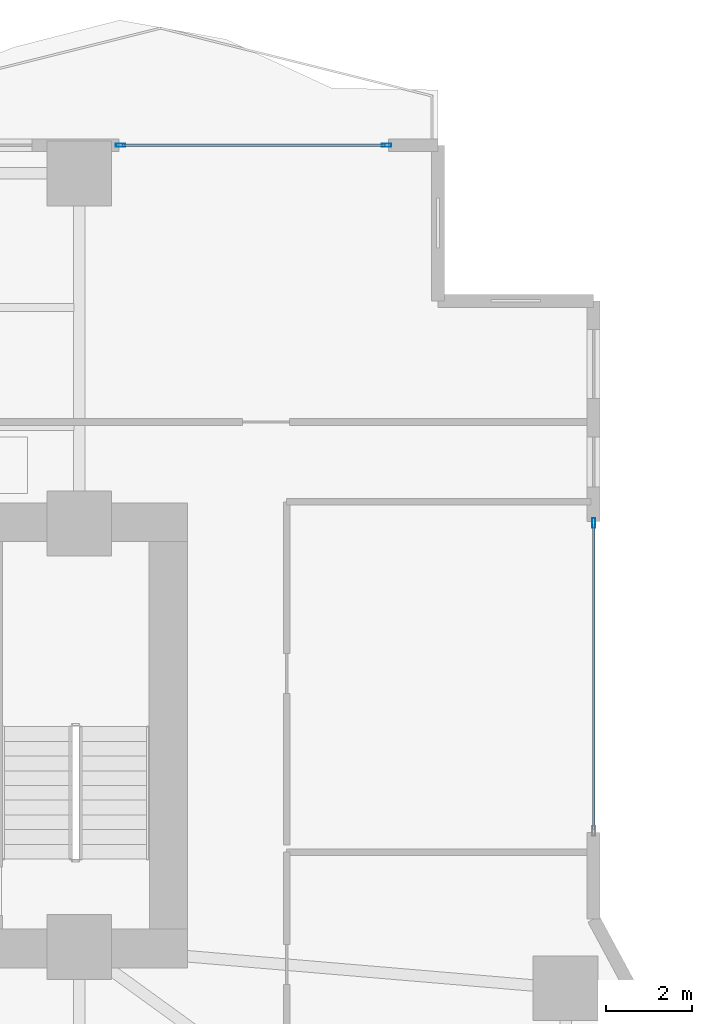
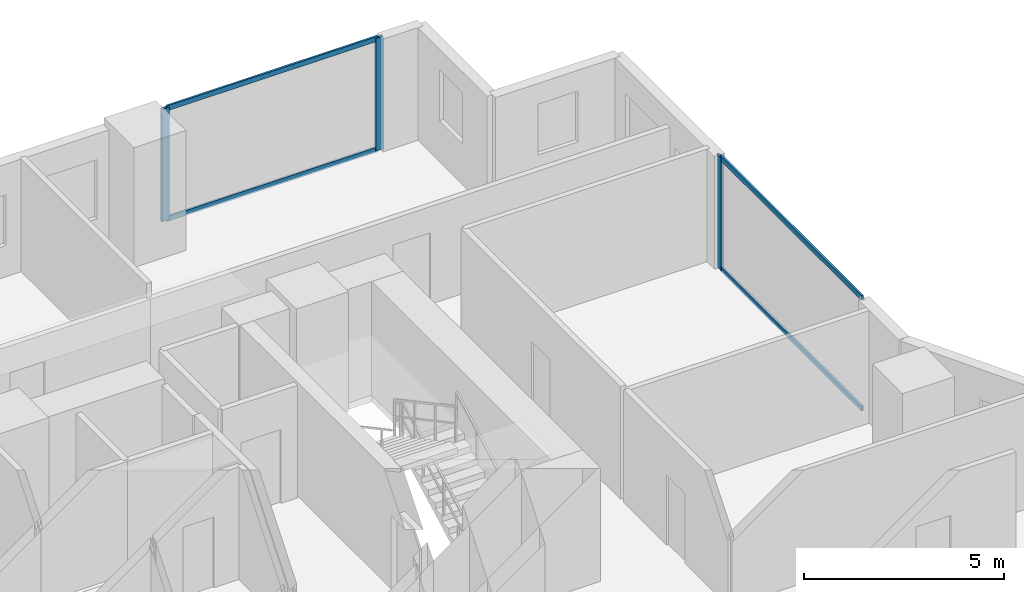
# One storey, part 16 of 29: 7 members, 2 elements without a shape of their own.
"""IFC4 building model written with IfcOpenShell, lengths in metres."""

from ifc_helpers import new_model, si_unit, direction, frame, origin, origin_2d, place, context, subcontext, project, spatial, hollow_rectangle, extrude, material, layer, layer_set, material_profile, profile_set, type_object, element, aggregate, save


model = new_model("IFC4")

# Units and contexts
model_context = context("Model", 3, precision=1e-05, world=origin(), true_north=direction((0.0, 1.0)))
body_context = subcontext(model_context, "Body", "Model", "MODEL_VIEW")
ifc_project = project(units=[si_unit("LENGTHUNIT", "METRE"), si_unit("AREAUNIT", "SQUARE_METRE"), si_unit("VOLUMEUNIT", "CUBIC_METRE"), si_unit("PLANEANGLEUNIT", "RADIAN"), si_unit("MASSUNIT", "GRAM", prefix="KILO")], contexts=[model_context])

# Site, building, storey
site_placement = place(None, origin())
site = spatial("IfcSite", under=ifc_project, at=site_placement, CompositionType="ELEMENT")
building_placement = place(site_placement, origin())
building = spatial("IfcBuilding", under=site, at=building_placement, Name="Zuhayl Quay Hotel", CompositionType="ELEMENT")
storey_placement = place(building_placement, frame((0.0, 0.0, 38.550048828125)))
storey = spatial("IfcBuildingStorey", under=building, at=storey_placement, Name="L08", CompositionType="ELEMENT", Elevation=38.550048828125)

# Curtain wall, members
ifc_material_1 = material(Name="Anodised Aluminium 6063-T6", Category="aluminium")
ifc_layer = layer(ifc_material_1, 0.18994140625, Name="Anodised Aluminium 6063-T6", Category="aluminium")
ifc_layer_set = layer_set([ifc_layer], Name="Anodised Aluminium 6063-T6")
curtain_wall_type = type_object("IfcCurtainWallType", Name="CW_SYS_Z1", PredefinedType="USERDEFINED", material=ifc_layer_set)
curtain_wall_1_placement = place(storey_placement, origin())
curtain_wall_1 = element("IfcCurtainWall", 1, at=curtain_wall_1_placement, inside=storey, type_object=curtain_wall_type, Name="L08 Curtain Wall ENV_L08_N_CW5", ObjectType="UNITISED CURTAIN WALL", PredefinedType="USERDEFINED")
ifc_material_2 = material(Name="Black-anodised aluminium 6063-T6", Category="aluminium")
ifc_material_profile_1 = material_profile(ifc_material_2, hollow_rectangle(XDim=0.074951171875, YDim=0.219970703125, WallThickness=0.00390625, at=origin_2d()), Name="ALU220X75")
ifc_profile_set_1 = profile_set([ifc_material_profile_1], Name="Black-anodised aluminium 6063-T6")
member_type_1 = type_object("IfcMemberType", Name="MB_CW_MUL_220", PredefinedType="MULLION", material=ifc_profile_set_1)
member_1_placement = place(storey_placement, frame((14.757568359375, 23.10009765625, 0.0), z_axis=(0.0, 0.0, 1.0), x_axis=(0.0, 1.0, 0.0)))
member_1 = element("IfcMember", 2, at=member_1_placement, type_object=member_type_1, Name="CW-Z1 mullion 1", PredefinedType="MULLION", context=body_context, shape_type="SweptSolid", body=[
    extrude(hollow_rectangle(XDim=0.074951171875, YDim=0.219970703125, WallThickness=0.00390625, at=origin_2d()), origin(), (0.0, 0.0, 1.0), 3.429931640625),
])
member_2_placement = place(storey_placement, frame((20.91259765625, 23.10009765625, 0.0), z_axis=(0.0, 0.0, 1.0), x_axis=(0.0, 1.0, 0.0)))
member_2 = element("IfcMember", 3, at=member_2_placement, type_object=member_type_1, Name="CW-Z1 mullion 2", PredefinedType="MULLION", context=body_context, shape_type="SweptSolid", body=[
    extrude(hollow_rectangle(XDim=0.074951171875, YDim=0.219970703125, WallThickness=0.00390625, at=origin_2d()), origin(), (0.0, 0.0, 1.0), 3.429931640625),
])

# Curtain wall, member
curtain_wall_2_placement = place(storey_placement, origin())
curtain_wall_2 = element("IfcCurtainWall", 4, at=curtain_wall_2_placement, inside=storey, type_object=curtain_wall_type, Name="L08 Curtain Wall ENV_L08_E11_CW1", ObjectType="UNITISED CURTAIN WALL", PredefinedType="USERDEFINED")
member_3_placement = place(storey_placement, frame((25.699951171875, 14.362548828125, 0.0), z_axis=(0.0, 0.0, 1.0), x_axis=(1.0, 0.0, 0.0)))
member_3 = element("IfcMember", 5, at=member_3_placement, type_object=member_type_1, Name="CW-Z1 mullion 1", PredefinedType="MULLION", context=body_context, shape_type="SweptSolid", body=[
    extrude(hollow_rectangle(XDim=0.074951171875, YDim=0.219970703125, WallThickness=0.00390625, at=origin_2d()), origin(), (0.0, 0.0, 1.0), 3.429931640625),
])

# Member
ifc_material_profile_2 = material_profile(ifc_material_2, hollow_rectangle(XDim=0.06005859375, YDim=0.14990234375, WallThickness=0.00341796875, at=origin_2d()), Name="ALU150X60")
ifc_profile_set_2 = profile_set([ifc_material_profile_2], Name="Black-anodised aluminium 6063-T6")
member_type_2 = type_object("IfcMemberType", Name="MB_CW_TRN_150", PredefinedType="USERDEFINED", material=ifc_profile_set_2)
member_4_placement = place(storey_placement, frame((14.794921875, 23.10009765625, 0.030029296875), z_axis=(1.0, 0.0, 0.0), x_axis=(0.0, 1.0, 0.0)))
member_4 = element("IfcMember", 6, at=member_4_placement, type_object=member_type_2, Name="CW-Z1 transom 1.1", ObjectType="TRANSOM", PredefinedType="USERDEFINED", context=body_context, shape_type="SweptSolid", body=[
    extrude(hollow_rectangle(XDim=0.06005859375, YDim=0.14990234375, WallThickness=0.00341796875, at=origin_2d()), origin(), (0.0, 0.0, 1.0), 6.080078125),
])

member_5_placement = place(storey_placement, frame((14.794921875, 23.10009765625, 3.39990234375), z_axis=(1.0, 0.0, 0.0), x_axis=(0.0, 1.0, 0.0)))
member_5 = element("IfcMember", 7, at=member_5_placement, type_object=member_type_2, Name="CW-Z1 transom 1.2", ObjectType="TRANSOM", PredefinedType="USERDEFINED", context=body_context, shape_type="SweptSolid", body=[
    extrude(hollow_rectangle(XDim=0.06005859375, YDim=0.14990234375, WallThickness=0.00341796875, at=origin_2d()), origin(), (0.0, 0.0, 1.0), 6.080078125),
])

aggregate(curtain_wall_1, [member_1, member_2, member_4, member_5])

member_6_placement = place(storey_placement, frame((25.699951171875, 14.324951171875, 0.030029296875), z_axis=(0.0, -1.0, 0.0), x_axis=(1.0, 0.0, 0.0)))
member_6 = element("IfcMember", 8, at=member_6_placement, type_object=member_type_2, Name="CW-Z1 transom 1.1", ObjectType="TRANSOM", PredefinedType="USERDEFINED", context=body_context, shape_type="SweptSolid", body=[
    extrude(hollow_rectangle(XDim=0.06005859375, YDim=0.14990234375, WallThickness=0.00341796875, at=origin_2d()), origin(), (0.0, 0.0, 1.0), 7.050048828125),
])

member_7_placement = place(storey_placement, frame((25.699951171875, 14.324951171875, 3.39990234375), z_axis=(0.0, -1.0, 0.0), x_axis=(1.0, 0.0, 0.0)))
member_7 = element("IfcMember", 9, at=member_7_placement, type_object=member_type_2, Name="CW-Z1 transom 1.2", ObjectType="TRANSOM", PredefinedType="USERDEFINED", context=body_context, shape_type="SweptSolid", body=[
    extrude(hollow_rectangle(XDim=0.06005859375, YDim=0.14990234375, WallThickness=0.00341796875, at=origin_2d()), origin(), (0.0, 0.0, 1.0), 7.050048828125),
])

aggregate(curtain_wall_2, [member_3, member_6, member_7])

save(model, "model.ifc")
